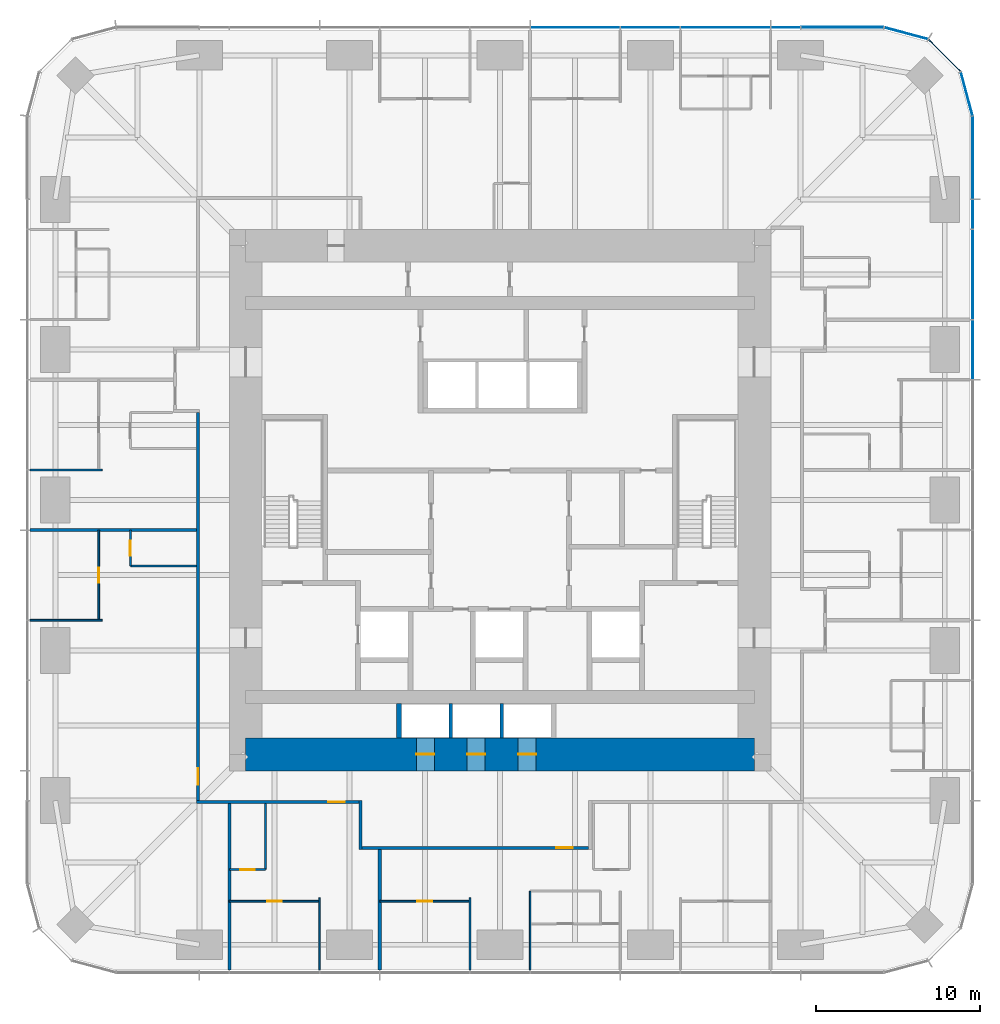
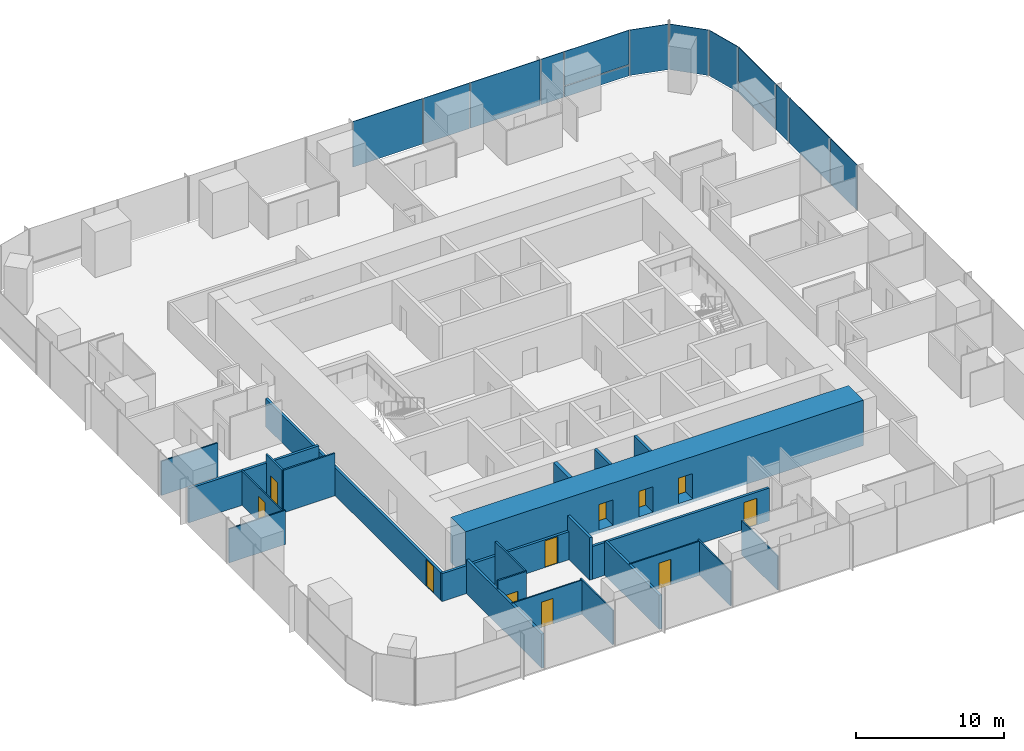
# One storey, part 8 of 13: 23 walls, 14 plates, 11 doors, 11 openings, 3 elements without a shape of their own.
"""IFC4 building model written with IfcOpenShell, lengths in metres."""

from ifc_helpers import new_model, si_unit, direction, frame, frame_2d, origin, origin_2d, place, context, subcontext, project, spatial, rectangle, extrude, material, layer, layer_set, type_object, element, fill, aggregate, save


model = new_model("IFC4")

# Units and contexts
model_context = context("Model", 3, precision=1e-05, world=origin(), true_north=direction((0.0, 1.0)))
body_context = subcontext(model_context, "Body", "Model", "MODEL_VIEW")
ifc_project = project(units=[si_unit("LENGTHUNIT", "METRE"), si_unit("AREAUNIT", "SQUARE_METRE"), si_unit("VOLUMEUNIT", "CUBIC_METRE"), si_unit("PLANEANGLEUNIT", "RADIAN"), si_unit("MASSUNIT", "GRAM", prefix="KILO")], contexts=[model_context])

# Site, building, storey
site_placement = place(None, origin())
site = spatial("IfcSite", under=ifc_project, at=site_placement, CompositionType="ELEMENT")
building_placement = place(site_placement, origin())
building = spatial("IfcBuilding", under=site, at=building_placement, Name="Khuree Lantern Residences", CompositionType="ELEMENT")
storey_placement = place(building_placement, frame((0.0, 0.0, 141.0)))
storey = spatial("IfcBuildingStorey", under=building, at=storey_placement, Name="L35", CompositionType="ELEMENT", Elevation=141.0)

# Curtain wall, plates
ifc_material_1 = material(Name="Bronze anodised aluminium", Category="aluminium")
curtain_wall_type_1 = type_object("IfcCurtainWallType", Name="CW-T2 TOWER CORNER CURTAIN WALL", PredefinedType="USERDEFINED", material=ifc_material_1)
curtain_wall_1_placement = place(storey_placement, origin())
curtain_wall_1 = element("IfcCurtainWall", 1, at=curtain_wall_1_placement, inside=storey, type_object=curtain_wall_type_1, Name="L35 NORTH-EAST CORNER CURTAIN WALL", ObjectType="Faceted corner curtain wall", PredefinedType="USERDEFINED")
ifc_material_2 = material(Name="Bronze tinted triple glazing", Category="glass")
ifc_layer_1 = layer(ifc_material_2, 0.048095703125)
ifc_layer_set_1 = layer_set([ifc_layer_1], Name="FACET PANEL P4")
plate_type_1 = type_object("IfcPlateType", Name="FACET PANEL P4", PredefinedType="CURTAIN_PANEL", material=ifc_layer_set_1)
plate_1_placement = place(storey_placement, frame((28.438720703125, 24.748046875, 0.0), z_axis=(0.0, 0.0, 1.0), x_axis=(-0.258819105321, 0.965925810153, 0.0)))
plate_1 = element("IfcPlate", 2, at=plate_1_placement, type_object=plate_type_1, Name="L35 NORTH-EAST CORNER PANEL 15.1", PredefinedType="CURTAIN_PANEL", context=body_context, shape_type="SweptSolid", body=[
    extrude(rectangle(XDim=2.71923828125, YDim=0.048095703125, at=origin_2d()), origin(), (0.0, 0.0, 1.0), 3.75),
])
plate_2_placement = place(storey_placement, frame((27.08837890625, 27.08837890625, 0.0), z_axis=(0.0, 0.0, 1.0), x_axis=(-0.707106781187, 0.707106781187, 0.0)))
plate_2 = element("IfcPlate", 3, at=plate_2_placement, type_object=plate_type_1, Name="L35 NORTH-EAST CORNER PANEL 16.1", PredefinedType="CURTAIN_PANEL", context=body_context, shape_type="SweptSolid", body=[
    extrude(rectangle(XDim=2.715087890625, YDim=0.048095703125, at=origin_2d()), origin(), (0.0, 0.0, 1.0), 3.75),
])
plate_3_placement = place(storey_placement, frame((24.748046875, 28.438720703125, 0.0), z_axis=(0.0, 0.0, 1.0), x_axis=(-0.965925810153, 0.258819105321, 0.0)))
plate_3 = element("IfcPlate", 4, at=plate_3_placement, type_object=plate_type_1, Name="L35 NORTH-EAST CORNER PANEL 17.1", PredefinedType="CURTAIN_PANEL", context=body_context, shape_type="SweptSolid", body=[
    extrude(rectangle(XDim=2.71923828125, YDim=0.048095703125, at=origin_2d()), origin(), (0.0, 0.0, 1.0), 3.75),
])
aggregate(curtain_wall_1, [plate_1, plate_2, plate_3])

# Curtain wall, plate
curtain_wall_type_2 = type_object("IfcCurtainWallType", Name="CW-T1 TOWER FACE CURTAIN WALL", PredefinedType="USERDEFINED", material=ifc_material_1)
curtain_wall_2_placement = place(storey_placement, origin())
curtain_wall_2 = element("IfcCurtainWall", 5, at=curtain_wall_2_placement, inside=storey, type_object=curtain_wall_type_2, Name="L35 EAST FACE CURTAIN WALL", ObjectType="Stick-built curtain wall", PredefinedType="USERDEFINED")
ifc_material_3 = material(Name="Bronze tinted triple glazing with a ceramic-fritted spandrel band", Category="glass")
ifc_layer_2 = layer(ifc_material_3, 0.048095703125)
ifc_layer_set_2 = layer_set([ifc_layer_2], Name="FIXED LIGHT PANEL P11")
plate_type_2 = type_object("IfcPlateType", Name="FIXED LIGHT PANEL P11", PredefinedType="CURTAIN_PANEL", material=ifc_layer_set_2)
plate_4_placement = place(storey_placement, frame((28.800048828125, 13.739990234375, 0.0), z_axis=(0.0, 0.0, 1.0), x_axis=(0.0, 1.0, 0.0)))
plate_4 = element("IfcPlate", 6, at=plate_4_placement, type_object=plate_type_2, Name="L35 EAST FACE PANEL 12.1", PredefinedType="CURTAIN_PANEL", context=body_context, shape_type="SweptSolid", body=[
    extrude(rectangle(XDim=5.430908203125, YDim=0.048095703125, at=origin_2d()), origin(), (0.0, 0.0, 1.0), 3.75),
])

# Curtain wall, plates
curtain_wall_3_placement = place(storey_placement, origin())
curtain_wall_3 = element("IfcCurtainWall", 7, at=curtain_wall_3_placement, inside=storey, type_object=curtain_wall_type_2, Name="L35 NORTH FACE CURTAIN WALL", ObjectType="Stick-built curtain wall", PredefinedType="USERDEFINED")
plate_5_placement = place(storey_placement, frame((13.739990234375, 28.800048828125, 0.0), z_axis=(0.0, 0.0, 1.0), x_axis=(-1.0, 0.0, 0.0)))
plate_5 = element("IfcPlate", 8, at=plate_5_placement, type_object=plate_type_2, Name="L35 NORTH FACE PANEL 20.1", PredefinedType="CURTAIN_PANEL", context=body_context, shape_type="SweptSolid", body=[
    extrude(rectangle(XDim=5.430908203125, YDim=0.048095703125, at=origin_2d()), origin(), (0.0, 0.0, 1.0), 3.75),
])
plate_6_placement = place(storey_placement, frame((4.580078125, 28.800048828125, 0.0), z_axis=(0.0, 0.0, 1.0), x_axis=(-1.0, 0.0, 0.0)))
plate_6 = element("IfcPlate", 9, at=plate_6_placement, type_object=plate_type_2, Name="L35 NORTH FACE PANEL 22.1", PredefinedType="CURTAIN_PANEL", context=body_context, shape_type="SweptSolid", body=[
    extrude(rectangle(XDim=5.430908203125, YDim=0.048095703125, at=origin_2d()), origin(), (0.0, 0.0, 1.0), 3.75),
])

# Plate
ifc_material_4 = material(Name="Bronze tinted triple glazing, two aluminium-framed sashes in one frame", Category="aluminium")
ifc_layer_3 = layer(ifc_material_4, 0.048095703125)
ifc_layer_set_3 = layer_set([ifc_layer_3], Name="SASH PAIR PANEL P12")
plate_type_3 = type_object("IfcPlateType", Name="SASH PAIR PANEL P12", PredefinedType="CURTAIN_PANEL", material=ifc_layer_set_3)
plate_7_placement = place(storey_placement, frame((28.800048828125, 9.159912109375, 0.0), z_axis=(0.0, 0.0, 1.0), x_axis=(0.0, 1.0, 0.0)))
plate_7 = element("IfcPlate", 10, at=plate_7_placement, type_object=plate_type_3, Name="L35 EAST FACE PANEL 11.1", PredefinedType="CURTAIN_PANEL", context=body_context, shape_type="SweptSolid", body=[
    extrude(rectangle(XDim=3.59912109375, YDim=0.048095703125, at=origin_2d()), origin(), (0.0, 0.0, 1.0), 3.75),
])

plate_8_placement = place(storey_placement, frame((9.159912109375, 28.800048828125, 0.0), z_axis=(0.0, 0.0, 1.0), x_axis=(-1.0, 0.0, 0.0)))
plate_8 = element("IfcPlate", 11, at=plate_8_placement, type_object=plate_type_3, Name="L35 NORTH FACE PANEL 21.1", PredefinedType="CURTAIN_PANEL", context=body_context, shape_type="SweptSolid", body=[
    extrude(rectangle(XDim=3.59912109375, YDim=0.048095703125, at=origin_2d()), origin(), (0.0, 0.0, 1.0), 3.75),
])

ifc_material_5 = material(Name="Bronze tinted triple glazing, aluminium-framed sash", Category="aluminium")
ifc_layer_4 = layer(ifc_material_5, 0.048095703125)
ifc_layer_set_4 = layer_set([ifc_layer_4], Name="SASH PANEL P3")
plate_type_4 = type_object("IfcPlateType", Name="SASH PANEL P3", PredefinedType="CURTAIN_PANEL", material=ifc_layer_set_4)
plate_9_placement = place(storey_placement, frame((28.800048828125, 17.404052734375, 0.0), z_axis=(0.0, 0.0, 1.0), x_axis=(0.0, 1.0, 0.0)))
plate_9 = element("IfcPlate", 12, at=plate_9_placement, type_object=plate_type_4, Name="L35 EAST FACE PANEL 13.1", PredefinedType="CURTAIN_PANEL", context=body_context, shape_type="SweptSolid", body=[
    extrude(rectangle(XDim=1.76708984375, YDim=0.048095703125, at=origin_2d()), origin(), (0.0, 0.0, 1.0), 3.75),
])

plate_10_placement = place(storey_placement, frame((17.404052734375, 28.800048828125, 0.0), z_axis=(0.0, 0.0, 1.0), x_axis=(-1.0, 0.0, 0.0)))
plate_10 = element("IfcPlate", 13, at=plate_10_placement, type_object=plate_type_4, Name="L35 NORTH FACE PANEL 19.1", PredefinedType="CURTAIN_PANEL", context=body_context, shape_type="SweptSolid", body=[
    extrude(rectangle(XDim=1.76708984375, YDim=0.048095703125, at=origin_2d()), origin(), (0.0, 0.0, 1.0), 3.75),
])

ifc_material_6 = material(Name="Bronze anodised aluminium insulated spandrel", Category="aluminium")
ifc_layer_5 = layer(ifc_material_6, 0.06005859375)
ifc_layer_set_5 = layer_set([ifc_layer_5], Name="SPANDREL PANEL P2")
plate_type_5 = type_object("IfcPlateType", Name="SPANDREL PANEL P2", PredefinedType="CURTAIN_PANEL", material=ifc_layer_set_5)
plate_11_placement = place(storey_placement, frame((28.800048828125, 20.85791015625, 0.0), z_axis=(0.0, 0.0, 1.0), x_axis=(0.0, 1.0, 0.0)))
plate_11 = element("IfcPlate", 14, at=plate_11_placement, type_object=plate_type_5, Name="L35 EAST FACE PANEL 14.1", PredefinedType="CURTAIN_PANEL", context=body_context, shape_type="SweptSolid", body=[
    extrude(rectangle(XDim=5.0107421875, YDim=0.06005859375, at=origin_2d()), origin(), (0.0, 0.0, 1.0), 0.867431640625),
])

plate_12_placement = place(storey_placement, frame((20.85791015625, 28.800048828125, 0.0), z_axis=(0.0, 0.0, 1.0), x_axis=(-1.0, 0.0, 0.0)))
plate_12 = element("IfcPlate", 15, at=plate_12_placement, type_object=plate_type_5, Name="L35 NORTH FACE PANEL 18.1", PredefinedType="CURTAIN_PANEL", context=body_context, shape_type="SweptSolid", body=[
    extrude(rectangle(XDim=5.0107421875, YDim=0.06005859375, at=origin_2d()), origin(), (0.0, 0.0, 1.0), 0.867431640625),
])

ifc_layer_6 = layer(ifc_material_2, 0.048095703125)
ifc_layer_set_6 = layer_set([ifc_layer_6], Name="VISION PANEL P1")
plate_type_6 = type_object("IfcPlateType", Name="VISION PANEL P1", PredefinedType="CURTAIN_PANEL", material=ifc_layer_set_6)
plate_13_placement = place(storey_placement, frame((28.800048828125, 20.8583984375, 0.9326171875), z_axis=(0.0, 0.0, 1.0), x_axis=(0.0, 1.0, 0.0)))
plate_13 = element("IfcPlate", 16, at=plate_13_placement, type_object=plate_type_6, Name="L35 EAST FACE PANEL 14.2", PredefinedType="CURTAIN_PANEL", context=body_context, shape_type="SweptSolid", body=[
    extrude(rectangle(XDim=5.011474609375, YDim=0.048095703125, at=origin_2d()), origin(), (0.0, 0.0, 1.0), 2.8173828125),
])

aggregate(curtain_wall_2, [plate_7, plate_4, plate_9, plate_11, plate_13])

plate_14_placement = place(storey_placement, frame((20.8583984375, 28.800048828125, 0.9326171875), z_axis=(0.0, 0.0, 1.0), x_axis=(-1.0, 0.0, 0.0)))
plate_14 = element("IfcPlate", 17, at=plate_14_placement, type_object=plate_type_6, Name="L35 NORTH FACE PANEL 18.2", PredefinedType="CURTAIN_PANEL", context=body_context, shape_type="SweptSolid", body=[
    extrude(rectangle(XDim=5.011474609375, YDim=0.048095703125, at=origin_2d()), origin(), (0.0, 0.0, 1.0), 2.8173828125),
])

aggregate(curtain_wall_3, [plate_12, plate_14, plate_10, plate_5, plate_8, plate_6])

# Wall, opening, door
ifc_material_7 = material(Name="Moisture-resistant gypsum board on steel studs", Category="steel")
ifc_layer_7 = layer(ifc_material_7, 0.125)
ifc_layer_set_7 = layer_set([ifc_layer_7], Name="BATHROOM WALL BTW125")
wall_type_1 = type_object("IfcWallType", Name="BATHROOM WALL BTW125", PredefinedType="PARTITIONING", material=ifc_layer_set_7)
wall_1_placement = place(storey_placement, frame((-22.52978515625, -1.83203125, 0.0), z_axis=(0.0, 0.0, 1.0), x_axis=(0.0, -1.0, 0.0)))
wall_1 = element("IfcWall", 18, at=wall_1_placement, inside=storey, type_object=wall_type_1, Name="L35 BATHROOM WALL 06", PredefinedType="PARTITIONING", context=body_context, shape_type="SweptSolid", body=[
    extrude(rectangle(XDim=2.199951171875, YDim=0.125, at=frame_2d((1.10009765625, 0.0))), origin(), (0.0, 0.0, 1.0), 3.5),
])
opening_1_placement = place(wall_1_placement, frame((0.64990234375, 0.0, 0.0)))
opening_1 = element("IfcOpeningElement", 19, at=opening_1_placement, cuts=wall_1, Name="Opening 35-046", PredefinedType="OPENING", context=body_context, shape_type="SweptSolid", body=[
    extrude(rectangle(XDim=0.89990234375, YDim=2.10009765625, at=frame_2d((0.449951171875, 1.050048828125))), frame((0.0, 0.072509765625, 0.0), z_axis=(0.0, -1.0, 0.0), x_axis=(1.0, 0.0, 0.0)), (0.0, 0.0, 1.0), 0.14501953125),
])
ifc_material_8 = material(Name="Timber door leaf in hardwood frame", Category="wood")
door_type_1 = type_object("IfcDoorType", Name="BATHROOM DOOR 900X2100", OperationType="SINGLE_SWING_LEFT", PredefinedType="DOOR", material=ifc_material_8)
door_1_placement = place(opening_1_placement, origin())
door_1 = element("IfcDoor", 20, at=door_1_placement, inside=storey, type_object=door_type_1, Name="Bathroom door 35-046", OperationType="SINGLE_SWING_LEFT", OverallHeight=2.10009765625, OverallWidth=0.89990234375, PredefinedType="DOOR", context=body_context, shape_type="SweptSolid", body=[
    extrude(rectangle(XDim=0.89990234375, YDim=2.10009765625, at=frame_2d((0.449951171875, 1.050048828125))), frame((0.0, 0.02490234375, 0.0), z_axis=(0.0, -1.0, 0.0), x_axis=(1.0, 0.0, 0.0)), (0.0, 0.0, 1.0), 0.050048828125),
])
fill(opening_1, door_1)

# Wall
wall_2_placement = place(storey_placement, frame((-18.5, -4.031982421875, 0.0), z_axis=(0.0, 0.0, 1.0), x_axis=(-1.0, 0.0, 0.0)))
element("IfcWall", 21, at=wall_2_placement, inside=storey, type_object=wall_type_1, Name="L35 BATHROOM WALL 06", PredefinedType="PARTITIONING", context=body_context, shape_type="SweptSolid", body=[
    extrude(rectangle(XDim=4.02978515625, YDim=0.125, at=frame_2d((2.014892578125, 0.0))), origin(), (0.0, 0.0, 1.0), 3.5),
])

# Wall, opening, door
wall_3_placement = place(storey_placement, frame((-16.488037109375, -22.52978515625, 0.0), z_axis=(0.0, 0.0, 1.0), x_axis=(1.0, 0.0, 0.0)))
wall_3 = element("IfcWall", 22, at=wall_3_placement, inside=storey, type_object=wall_type_1, Name="L35 BATHROOM WALL 07", PredefinedType="PARTITIONING", context=body_context, shape_type="SweptSolid", body=[
    extrude(rectangle(XDim=2.199951171875, YDim=0.125, at=frame_2d((1.10009765625, 0.0))), origin(), (0.0, 0.0, 1.0), 3.5),
])
opening_2_placement = place(wall_3_placement, frame((0.64990234375, 0.0, 0.0)))
opening_2 = element("IfcOpeningElement", 23, at=opening_2_placement, cuts=wall_3, Name="Opening 35-049", PredefinedType="OPENING", context=body_context, shape_type="SweptSolid", body=[
    extrude(rectangle(XDim=0.89990234375, YDim=2.10009765625, at=frame_2d((0.449951171875, 1.050048828125))), frame((0.0, 0.072509765625, 0.0), z_axis=(0.0, -1.0, 0.0), x_axis=(1.0, 0.0, 0.0)), (0.0, 0.0, 1.0), 0.14501953125),
])
door_2_placement = place(opening_2_placement, origin())
door_2 = element("IfcDoor", 24, at=door_2_placement, inside=storey, type_object=door_type_1, Name="Bathroom door 35-049", OperationType="SINGLE_SWING_LEFT", OverallHeight=2.10009765625, OverallWidth=0.89990234375, PredefinedType="DOOR", context=body_context, shape_type="SweptSolid", body=[
    extrude(rectangle(XDim=0.89990234375, YDim=2.10009765625, at=frame_2d((0.449951171875, 1.050048828125))), frame((0.0, 0.02490234375, 0.0), z_axis=(0.0, -1.0, 0.0), x_axis=(1.0, 0.0, 0.0)), (0.0, 0.0, 1.0), 0.050048828125),
])
fill(opening_2, door_2)

# Walls
wall_4_placement = place(storey_placement, frame((-14.2880859375, -18.5, 0.0), z_axis=(0.0, 0.0, 1.0), x_axis=(0.0, -1.0, 0.0)))
element("IfcWall", 25, at=wall_4_placement, inside=storey, type_object=wall_type_1, Name="L35 BATHROOM WALL 07", PredefinedType="PARTITIONING", context=body_context, shape_type="SweptSolid", body=[
    extrude(rectangle(XDim=4.02978515625, YDim=0.125, at=frame_2d((2.014892578125, 0.0))), origin(), (0.0, 0.0, 1.0), 3.5),
])
ifc_material_9 = material(Name="Dense concrete blockwork", Category="masonry")
ifc_layer_8 = layer(ifc_material_9, 0.300048828125)
ifc_layer_set_8 = layer_set([ifc_layer_8], Name="CORE PARTITION WALL CPW300 EI 120")
wall_type_2 = type_object("IfcWallType", Name="CORE PARTITION WALL CPW300 EI 120", PredefinedType="PARTITIONING", material=ifc_layer_set_8)
wall_5_placement = place(storey_placement, frame((-6.14990234375, -14.5, 0.0), z_axis=(0.0, 0.0, 1.0), x_axis=(0.0, 1.0, 0.0)))
element("IfcWall", 26, at=wall_5_placement, inside=storey, type_object=wall_type_2, Name="L35 CORE WALL PMW", PredefinedType="PARTITIONING", context=body_context, shape_type="SweptSolid", body=[
    extrude(rectangle(XDim=2.10009765625, YDim=0.300048828125, at=frame_2d((1.050048828125, 0.0))), origin(), (0.0, 0.0, 1.0), 3.5),
])

# Wall, opening, door
ifc_material_10 = material(Name="Gypsum board on steel studs", Category="steel")
ifc_layer_9 = layer(ifc_material_10, 0.199951171875)
ifc_layer_set_9 = layer_set([ifc_layer_9], Name="CORRIDOR WALL CRW200 EI 60")
wall_type_3 = type_object("IfcWallType", Name="CORRIDOR WALL CRW200 EI 60", PredefinedType="PARTITIONING", material=ifc_layer_set_9)
wall_6_placement = place(storey_placement, frame((-18.39990234375, 5.327880859375, 0.0), z_axis=(0.0, 0.0, 1.0), x_axis=(0.0, -1.0, 0.0)))
wall_6 = element("IfcWall", 27, at=wall_6_placement, inside=storey, type_object=wall_type_3, Name="L35 CORRIDOR WALL WEST 2", PredefinedType="PARTITIONING", context=body_context, shape_type="SweptSolid", body=[
    extrude(rectangle(XDim=23.6279296875, YDim=0.199951171875, at=frame_2d((11.81396484375, 0.0))), origin(), (0.0, 0.0, 1.0), 2.300048828125),
])
opening_3_placement = place(wall_6_placement, frame((21.679931640625, 0.0, 0.0)))
opening_3 = element("IfcOpeningElement", 28, at=opening_3_placement, cuts=wall_6, Name="Opening 35-047", PredefinedType="OPENING", context=body_context, shape_type="SweptSolid", body=[
    extrude(rectangle(XDim=1.0, YDim=2.199951171875, at=frame_2d((0.5, 1.10009765625))), frame((0.0, 0.10986328125, 0.0), z_axis=(0.0, -1.0, 0.0), x_axis=(1.0, 0.0, 0.0)), (0.0, 0.0, 1.0), 0.219970703125),
])
door_type_2 = type_object("IfcDoorType", Name="APARTMENT ENTRANCE DOOR 1000X2200 EI 30S RIGHT HAND", OperationType="SINGLE_SWING_RIGHT", PredefinedType="DOOR", material=ifc_material_8)
door_3_placement = place(opening_3_placement, origin())
door_3 = element("IfcDoor", 29, at=door_3_placement, inside=storey, type_object=door_type_2, Name="Apartment 06 entrance door 35-047", OperationType="SINGLE_SWING_RIGHT", OverallHeight=2.199951171875, OverallWidth=1.0, PredefinedType="DOOR", context=body_context, shape_type="SweptSolid", body=[
    extrude(rectangle(XDim=1.0, YDim=2.199951171875, at=frame_2d((0.5, 1.10009765625))), frame((0.0, 0.02490234375, 0.0), z_axis=(0.0, -1.0, 0.0), x_axis=(1.0, 0.0, 0.0)), (0.0, 0.0, 1.0), 0.050048828125),
])
fill(opening_3, door_3)

# Wall
wall_7_placement = place(storey_placement, frame((-8.5, -18.300048828125, 0.0), z_axis=(0.0, 0.0, 1.0), x_axis=(0.0, -1.0, 0.0)))
element("IfcWall", 30, at=wall_7_placement, inside=storey, type_object=wall_type_3, Name="L35 LIFT LOBBY WALL", PredefinedType="PARTITIONING", context=body_context, shape_type="SweptSolid", body=[
    extrude(rectangle(XDim=3.0, YDim=0.199951171875, at=frame_2d((1.5, 0.0))), origin(), (0.0, 0.0, 1.0), 3.5),
])

# Wall, opening, door
wall_8_placement = place(storey_placement, frame((5.39990234375, -21.199951171875, 0.0), z_axis=(0.0, 0.0, 1.0), x_axis=(-1.0, 0.0, 0.0)))
wall_8 = element("IfcWall", 31, at=wall_8_placement, inside=storey, type_object=wall_type_3, Name="L35 LIFT LOBBY WALL", PredefinedType="PARTITIONING", context=body_context, shape_type="SweptSolid", body=[
    extrude(rectangle(XDim=13.7998046875, YDim=0.199951171875, at=frame_2d((6.89990234375, 0.0))), origin(), (0.0, 0.0, 1.0), 2.699951171875),
])
opening_4_placement = place(wall_8_placement, frame((0.9580078125, 0.0, 0.0)))
opening_4 = element("IfcOpeningElement", 32, at=opening_4_placement, cuts=wall_8, Name="Opening 35-056", PredefinedType="OPENING", context=body_context, shape_type="SweptSolid", body=[
    extrude(rectangle(XDim=1.0, YDim=2.199951171875, at=frame_2d((0.5, 1.10009765625))), frame((0.0, 0.10986328125, 0.0), z_axis=(0.0, -1.0, 0.0), x_axis=(1.0, 0.0, 0.0)), (0.0, 0.0, 1.0), 0.219970703125),
])
door_type_3 = type_object("IfcDoorType", Name="APARTMENT ENTRANCE DOOR 1000X2200 EI 30S", OperationType="SINGLE_SWING_LEFT", PredefinedType="DOOR", material=ifc_material_8)
door_4_placement = place(opening_4_placement, origin())
door_4 = element("IfcDoor", 33, at=door_4_placement, inside=storey, type_object=door_type_3, Name="Apartment 08 entrance door 35-056", OperationType="SINGLE_SWING_LEFT", OverallHeight=2.199951171875, OverallWidth=1.0, PredefinedType="DOOR", context=body_context, shape_type="SweptSolid", body=[
    extrude(rectangle(XDim=1.0, YDim=2.199951171875, at=frame_2d((0.5, 1.10009765625))), frame((0.0, 0.02490234375, 0.0), z_axis=(0.0, -1.0, 0.0), x_axis=(1.0, 0.0, 0.0)), (0.0, 0.0, 1.0), 0.050048828125),
])
fill(opening_4, door_4)

wall_9_placement = place(storey_placement, frame((-8.60009765625, -18.39990234375, 0.0), z_axis=(0.0, 0.0, 1.0), x_axis=(-1.0, 0.0, 0.0)))
wall_9 = element("IfcWall", 34, at=wall_9_placement, inside=storey, type_object=wall_type_3, Name="L35 CORRIDOR WALL SOUTH 2", PredefinedType="PARTITIONING", context=body_context, shape_type="SweptSolid", body=[
    extrude(rectangle(XDim=9.89990234375, YDim=0.199951171875, at=frame_2d((4.949951171875, 0.0))), origin(), (0.0, 0.0, 1.0), 2.300048828125),
])
opening_5_placement = place(wall_9_placement, frame((0.867919921875, 0.0, 0.0)))
opening_5 = element("IfcOpeningElement", 35, at=opening_5_placement, cuts=wall_9, Name="Opening 35-050", PredefinedType="OPENING", context=body_context, shape_type="SweptSolid", body=[
    extrude(rectangle(XDim=1.0, YDim=2.199951171875, at=frame_2d((0.5, 1.10009765625))), frame((0.0, 0.10986328125, 0.0), z_axis=(0.0, -1.0, 0.0), x_axis=(1.0, 0.0, 0.0)), (0.0, 0.0, 1.0), 0.219970703125),
])
door_5_placement = place(opening_5_placement, origin())
door_5 = element("IfcDoor", 36, at=door_5_placement, inside=storey, type_object=door_type_3, Name="Apartment 07 entrance door 35-050", OperationType="SINGLE_SWING_LEFT", OverallHeight=2.199951171875, OverallWidth=1.0, PredefinedType="DOOR", context=body_context, shape_type="SweptSolid", body=[
    extrude(rectangle(XDim=1.0, YDim=2.199951171875, at=frame_2d((0.5, 1.10009765625))), frame((0.0, 0.02490234375, 0.0), z_axis=(0.0, -1.0, 0.0), x_axis=(1.0, 0.0, 0.0)), (0.0, 0.0, 1.0), 0.050048828125),
])
fill(opening_5, door_5)

# Wall, openings, doors
ifc_material_11 = material(Name="Concrete C70/85", Category="concrete")
ifc_layer_10 = layer(ifc_material_11, 2.0)
ifc_layer_set_10 = layer_set([ifc_layer_10], Name="CW2000-C70 CORE WALL C70 2000")
wall_type_4 = type_object("IfcWallType", Name="CW2000-C70 CORE WALL C70 2000", PredefinedType="SHEAR", material=ifc_layer_set_10)
wall_10_placement = place(storey_placement, frame((-15.5, -15.5, -0.25), z_axis=(0.0, 0.0, 1.0), x_axis=(1.0, 0.0, 0.0)))
wall_10 = element("IfcWall", 37, at=wall_10_placement, inside=storey, type_object=wall_type_4, Name="Core wall S", PredefinedType="SHEAR", context=body_context, shape_type="SweptSolid", body=[
    extrude(rectangle(XDim=31.0, YDim=2.0, at=frame_2d((15.5, 0.0))), origin(), (0.0, 0.0, 1.0), 3.75),
])
opening_6_placement = place(wall_10_placement, frame((10.39990234375, 0.0, 0.25)))
opening_6 = element("IfcOpeningElement", 38, at=opening_6_placement, cuts=wall_10, Name="Opening 35-009", PredefinedType="OPENING", context=body_context, shape_type="SweptSolid", body=[
    extrude(rectangle(XDim=1.10009765625, YDim=2.10009765625, at=frame_2d((0.550048828125, 1.050048828125))), frame((0.0, 1.010009765625, 0.0), z_axis=(0.0, -1.0, 0.0), x_axis=(1.0, 0.0, 0.0)), (0.0, 0.0, 1.0), 2.02001953125),
])
opening_7_placement = place(wall_10_placement, frame((13.5, 0.0, 0.25)))
opening_7 = element("IfcOpeningElement", 39, at=opening_7_placement, cuts=wall_10, Name="Opening 35-010", PredefinedType="OPENING", context=body_context, shape_type="SweptSolid", body=[
    extrude(rectangle(XDim=1.10009765625, YDim=2.10009765625, at=frame_2d((0.550048828125, 1.050048828125))), frame((0.0, 1.010009765625, 0.0), z_axis=(0.0, -1.0, 0.0), x_axis=(1.0, 0.0, 0.0)), (0.0, 0.0, 1.0), 2.02001953125),
])
opening_8_placement = place(wall_10_placement, frame((16.60009765625, 0.0, 0.25)))
opening_8 = element("IfcOpeningElement", 40, at=opening_8_placement, cuts=wall_10, Name="Opening 35-011", PredefinedType="OPENING", context=body_context, shape_type="SweptSolid", body=[
    extrude(rectangle(XDim=1.10009765625, YDim=2.10009765625, at=frame_2d((0.550048828125, 1.050048828125))), frame((0.0, 1.010009765625, 0.0), z_axis=(0.0, -1.0, 0.0), x_axis=(1.0, 0.0, 0.0)), (0.0, 0.0, 1.0), 2.02001953125),
])
ifc_material_12 = material(Name="Stainless steel lift landing door", Category="steel")
door_type_4 = type_object("IfcDoorType", Name="LIFT LANDING DOOR 1100X2100 E 60", OperationType="DOUBLE_DOOR_SLIDING", PredefinedType="DOOR", material=ifc_material_12)
door_6_placement = place(opening_6_placement, origin())
door_6 = element("IfcDoor", 41, at=door_6_placement, inside=storey, type_object=door_type_4, Name="Landing door PM1 35-009", OperationType="DOUBLE_DOOR_SLIDING", OverallHeight=2.10009765625, OverallWidth=1.10009765625, PredefinedType="DOOR", context=body_context, shape_type="SweptSolid", body=[
    extrude(rectangle(XDim=1.10009765625, YDim=2.10009765625, at=frame_2d((0.550048828125, 1.050048828125))), frame((0.0, 0.02490234375, 0.0), z_axis=(0.0, -1.0, 0.0), x_axis=(1.0, 0.0, 0.0)), (0.0, 0.0, 1.0), 0.050048828125),
])
fill(opening_6, door_6)
door_7_placement = place(opening_7_placement, origin())
door_7 = element("IfcDoor", 42, at=door_7_placement, inside=storey, type_object=door_type_4, Name="Landing door PM2 35-010", OperationType="DOUBLE_DOOR_SLIDING", OverallHeight=2.10009765625, OverallWidth=1.10009765625, PredefinedType="DOOR", context=body_context, shape_type="SweptSolid", body=[
    extrude(rectangle(XDim=1.10009765625, YDim=2.10009765625, at=frame_2d((0.550048828125, 1.050048828125))), frame((0.0, 0.02490234375, 0.0), z_axis=(0.0, -1.0, 0.0), x_axis=(1.0, 0.0, 0.0)), (0.0, 0.0, 1.0), 0.050048828125),
])
fill(opening_7, door_7)
door_8_placement = place(opening_8_placement, origin())
door_8 = element("IfcDoor", 43, at=door_8_placement, inside=storey, type_object=door_type_4, Name="Landing door PM3 35-011", OperationType="DOUBLE_DOOR_SLIDING", OverallHeight=2.10009765625, OverallWidth=1.10009765625, PredefinedType="DOOR", context=body_context, shape_type="SweptSolid", body=[
    extrude(rectangle(XDim=1.10009765625, YDim=2.10009765625, at=frame_2d((0.550048828125, 1.050048828125))), frame((0.0, 0.02490234375, 0.0), z_axis=(0.0, -1.0, 0.0), x_axis=(1.0, 0.0, 0.0)), (0.0, 0.0, 1.0), 0.050048828125),
])
fill(opening_8, door_8)

# Walls
ifc_layer_11 = layer(ifc_material_10, 0.199951171875)
ifc_layer_set_11 = layer_set([ifc_layer_11], Name="DEMISING WALL DMW200 EI 90")
wall_type_5 = type_object("IfcWallType", Name="DEMISING WALL DMW200 EI 90", PredefinedType="PARTITIONING", material=ifc_layer_set_11)
for number, where, z_axis, x_axis, name in (
    (44, (-18.5, -1.83203125, 0.0), (0.0, 0.0, 1.0), (-1.0, 0.0, 0.0), "L35 DEMISING WALL 06"),
    (45, (-16.488037109375, -18.5, 0.0), (0.0, 0.0, 1.0), (0.0, -1.0, 0.0), "L35 DEMISING WALL 07"),
):
    element("IfcWall", number, at=place(storey_placement, frame(where, z_axis=z_axis, x_axis=x_axis)), inside=storey, type_object=wall_type_5, Name=name, PredefinedType="PARTITIONING", context=body_context, shape_type="SweptSolid", body=[
        extrude(rectangle(XDim=10.14990234375, YDim=0.199951171875, at=frame_2d((5.074951171875, 0.0))), origin(), (0.0, 0.0, 1.0), 2.81005859375),
    ])
wall_11_placement = place(storey_placement, frame((-7.327880859375, -21.300048828125, 0.0), z_axis=(0.0, 0.0, 1.0), x_axis=(0.0, -1.0, 0.0)))
element("IfcWall", 46, at=wall_11_placement, inside=storey, type_object=wall_type_5, Name="L35 DEMISING WALL 08", PredefinedType="PARTITIONING", context=body_context, shape_type="SweptSolid", body=[
    extrude(rectangle(XDim=7.349853515625, YDim=0.199951171875, at=frame_2d((3.6748046875, 0.0))), origin(), (0.0, 0.0, 1.0), 2.81005859375),
])
ifc_layer_12 = layer(ifc_material_10, 0.10009765625)
ifc_layer_set_12 = layer_set([ifc_layer_12], Name="PARTITION PT100")
wall_type_6 = type_object("IfcWallType", Name="PARTITION PT100", PredefinedType="PARTITIONING", material=ifc_layer_set_12)
for number, where, z_axis, x_axis, name in (
    (47, (-24.25, 1.83203125, 0.0), (0.0, 0.0, 1.0), (-1.0, 0.0, 0.0), "L35 PARTITION 05"),
    (48, (-24.25, -7.327880859375, 0.0), (0.0, 0.0, 1.0), (-1.0, 0.0, 0.0), "L35 PARTITION 06"),
    (49, (-10.991943359375, -24.25, 0.0), (0.0, 0.0, 1.0), (0.0, -1.0, 0.0), "L35 PARTITION 07"),
    (50, (-1.83203125, -24.25, 0.0), (0.0, 0.0, 1.0), (0.0, -1.0, 0.0), "L35 PARTITION 08"),
):
    element("IfcWall", number, at=place(storey_placement, frame(where, z_axis=z_axis, x_axis=x_axis)), inside=storey, type_object=wall_type_6, Name=name, PredefinedType="PARTITIONING", context=body_context, shape_type="SweptSolid", body=[
        extrude(rectangle(XDim=4.39990234375, YDim=0.10009765625, at=frame_2d((2.199951171875, 0.0))), origin(), (0.0, 0.0, 1.0), 2.81005859375),
    ])
wall_12_placement = place(storey_placement, frame((1.83203125, -23.829833984375, 0.0), z_axis=(0.0, 0.0, 1.0), x_axis=(0.0, -1.0, 0.0)))
element("IfcWall", 51, at=wall_12_placement, inside=storey, type_object=wall_type_6, Name="L35 PARTITION 08", PredefinedType="PARTITIONING", context=body_context, shape_type="SweptSolid", body=[
    extrude(rectangle(XDim=4.820068359375, YDim=0.10009765625, at=frame_2d((2.41015625, 0.0))), origin(), (0.0, 0.0, 1.0), 2.81005859375),
])

# Wall, opening, door
wall_13_placement = place(storey_placement, frame((-24.449951171875, -1.83203125, 0.0), z_axis=(0.0, 0.0, 1.0), x_axis=(0.0, -1.0, 0.0)))
wall_13 = element("IfcWall", 52, at=wall_13_placement, inside=storey, type_object=wall_type_6, Name="L35 PARTITION 06", PredefinedType="PARTITIONING", context=body_context, shape_type="SweptSolid", body=[
    extrude(rectangle(XDim=5.495849609375, YDim=0.10009765625, at=frame_2d((2.748046875, 0.0))), origin(), (0.0, 0.0, 1.0), 2.81005859375),
])
opening_9_placement = place(wall_13_placement, frame((2.298095703125, 0.0, 0.0)))
opening_9 = element("IfcOpeningElement", 53, at=opening_9_placement, cuts=wall_13, Name="Opening 35-045", PredefinedType="OPENING", context=body_context, shape_type="SweptSolid", body=[
    extrude(rectangle(XDim=0.89990234375, YDim=2.10009765625, at=frame_2d((0.449951171875, 1.050048828125))), frame((0.0, 0.06005859375, 0.0), z_axis=(0.0, -1.0, 0.0), x_axis=(1.0, 0.0, 0.0)), (0.0, 0.0, 1.0), 0.1201171875),
])
door_type_5 = type_object("IfcDoorType", Name="BEDROOM DOOR 900X2100", OperationType="SINGLE_SWING_LEFT", PredefinedType="DOOR", material=ifc_material_8)
door_9_placement = place(opening_9_placement, origin())
door_9 = element("IfcDoor", 54, at=door_9_placement, inside=storey, type_object=door_type_5, Name="Bedroom door 35-045", OperationType="SINGLE_SWING_LEFT", OverallHeight=2.10009765625, OverallWidth=0.89990234375, PredefinedType="DOOR", context=body_context, shape_type="SweptSolid", body=[
    extrude(rectangle(XDim=0.89990234375, YDim=2.10009765625, at=frame_2d((0.449951171875, 1.050048828125))), frame((0.0, 0.02490234375, 0.0), z_axis=(0.0, -1.0, 0.0), x_axis=(1.0, 0.0, 0.0)), (0.0, 0.0, 1.0), 0.050048828125),
])
fill(opening_9, door_9)

wall_14_placement = place(storey_placement, frame((-16.488037109375, -24.449951171875, 0.0), z_axis=(0.0, 0.0, 1.0), x_axis=(1.0, 0.0, 0.0)))
wall_14 = element("IfcWall", 55, at=wall_14_placement, inside=storey, type_object=wall_type_6, Name="L35 PARTITION 07", PredefinedType="PARTITIONING", context=body_context, shape_type="SweptSolid", body=[
    extrude(rectangle(XDim=5.49609375, YDim=0.10009765625, at=frame_2d((2.748046875, 0.0))), origin(), (0.0, 0.0, 1.0), 2.81005859375),
])
opening_10_placement = place(wall_14_placement, frame((2.298095703125, 0.0, 0.0)))
opening_10 = element("IfcOpeningElement", 56, at=opening_10_placement, cuts=wall_14, Name="Opening 35-048", PredefinedType="OPENING", context=body_context, shape_type="SweptSolid", body=[
    extrude(rectangle(XDim=0.89990234375, YDim=2.10009765625, at=frame_2d((0.449951171875, 1.050048828125))), frame((0.0, 0.06005859375, 0.0), z_axis=(0.0, -1.0, 0.0), x_axis=(1.0, 0.0, 0.0)), (0.0, 0.0, 1.0), 0.1201171875),
])
door_10_placement = place(opening_10_placement, origin())
door_10 = element("IfcDoor", 57, at=door_10_placement, inside=storey, type_object=door_type_5, Name="Bedroom door 35-048", OperationType="SINGLE_SWING_LEFT", OverallHeight=2.10009765625, OverallWidth=0.89990234375, PredefinedType="DOOR", context=body_context, shape_type="SweptSolid", body=[
    extrude(rectangle(XDim=0.89990234375, YDim=2.10009765625, at=frame_2d((0.449951171875, 1.050048828125))), frame((0.0, 0.02490234375, 0.0), z_axis=(0.0, -1.0, 0.0), x_axis=(1.0, 0.0, 0.0)), (0.0, 0.0, 1.0), 0.050048828125),
])
fill(opening_10, door_10)

wall_15_placement = place(storey_placement, frame((-7.327880859375, -24.449951171875, 0.0), z_axis=(0.0, 0.0, 1.0), x_axis=(1.0, 0.0, 0.0)))
wall_15 = element("IfcWall", 58, at=wall_15_placement, inside=storey, type_object=wall_type_6, Name="L35 PARTITION 08", PredefinedType="PARTITIONING", context=body_context, shape_type="SweptSolid", body=[
    extrude(rectangle(XDim=5.495849609375, YDim=0.10009765625, at=frame_2d((2.748046875, 0.0))), origin(), (0.0, 0.0, 1.0), 2.81005859375),
])
opening_11_placement = place(wall_15_placement, frame((2.298095703125, 0.0, 0.0)))
opening_11 = element("IfcOpeningElement", 59, at=opening_11_placement, cuts=wall_15, Name="Opening 35-051", PredefinedType="OPENING", context=body_context, shape_type="SweptSolid", body=[
    extrude(rectangle(XDim=0.89990234375, YDim=2.10009765625, at=frame_2d((0.449951171875, 1.050048828125))), frame((0.0, 0.06005859375, 0.0), z_axis=(0.0, -1.0, 0.0), x_axis=(1.0, 0.0, 0.0)), (0.0, 0.0, 1.0), 0.1201171875),
])
door_11_placement = place(opening_11_placement, origin())
door_11 = element("IfcDoor", 60, at=door_11_placement, inside=storey, type_object=door_type_5, Name="Bedroom door 35-051", OperationType="SINGLE_SWING_LEFT", OverallHeight=2.10009765625, OverallWidth=0.89990234375, PredefinedType="DOOR", context=body_context, shape_type="SweptSolid", body=[
    extrude(rectangle(XDim=0.89990234375, YDim=2.10009765625, at=frame_2d((0.449951171875, 1.050048828125))), frame((0.0, 0.02490234375, 0.0), z_axis=(0.0, -1.0, 0.0), x_axis=(1.0, 0.0, 0.0)), (0.0, 0.0, 1.0), 0.050048828125),
])
fill(opening_11, door_11)

# Walls
ifc_layer_13 = layer(ifc_material_9, 0.199951171875)
ifc_layer_set_13 = layer_set([ifc_layer_13], Name="SHAFT WALL SHW200 EI 120")
wall_type_7 = type_object("IfcWallType", Name="SHAFT WALL SHW200 EI 120", PredefinedType="PARTITIONING", material=ifc_layer_set_13)
for number, where, z_axis, x_axis, name in (
    (61, (-3.0, -14.5, 0.0), (0.0, 0.0, 1.0), (0.0, 1.0, 0.0), "L35 CORE WALL PMD1"),
    (62, (0.10009765625, -14.5, 0.0), (0.0, 0.0, 1.0), (0.0, 1.0, 0.0), "L35 CORE WALL PMD2"),
):
    element("IfcWall", number, at=place(storey_placement, frame(where, z_axis=z_axis, x_axis=x_axis)), inside=storey, type_object=wall_type_7, Name=name, PredefinedType="PARTITIONING", context=body_context, shape_type="SweptSolid", body=[
        extrude(rectangle(XDim=2.10009765625, YDim=0.199951171875, at=frame_2d((1.050048828125, 0.0))), origin(), (0.0, 0.0, 1.0), 3.5),
    ])

save(model, "model.ifc")
